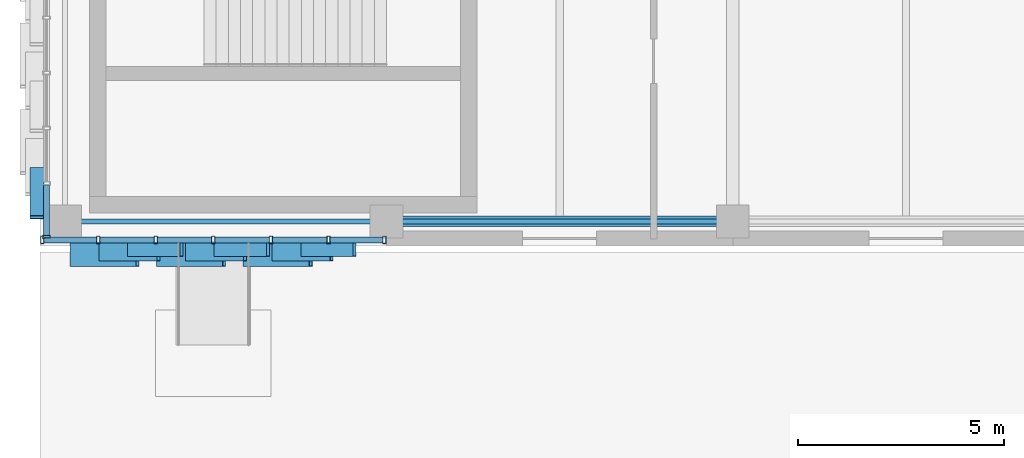
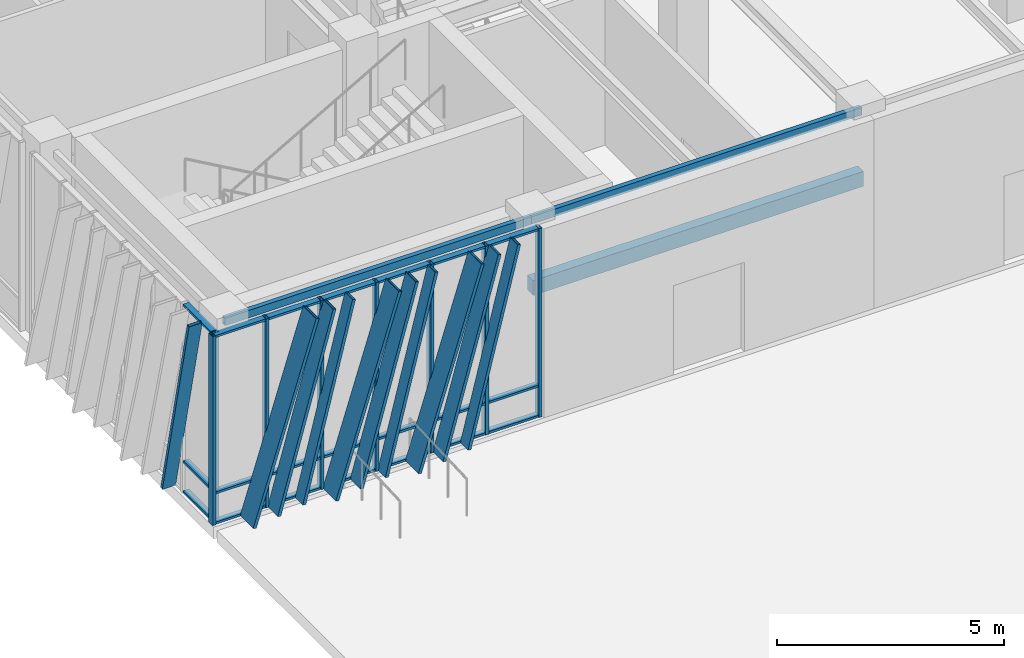
# One storey, part 9 of 122: 39 members, 3 beams, 2 elements without a shape of their own.
"""IFC4 building model written with IfcOpenShell, lengths in metres."""

from ifc_helpers import new_model, si_unit, direction, frame, origin, origin_2d, place, context, subcontext, project, spatial, rectangle, hollow_rectangle, extrude, material, layer, layer_set, material_profile, profile_set, type_object, element, aggregate, save


model = new_model("IFC4")

# Units and contexts
model_context = context("Model", 3, precision=1e-05, world=origin(), true_north=direction((0.0, 1.0)))
body_context = subcontext(model_context, "Body", "Model", "MODEL_VIEW")
ifc_project = project(units=[si_unit("LENGTHUNIT", "METRE"), si_unit("AREAUNIT", "SQUARE_METRE"), si_unit("VOLUMEUNIT", "CUBIC_METRE"), si_unit("PLANEANGLEUNIT", "RADIAN"), si_unit("MASSUNIT", "GRAM", prefix="KILO")], contexts=[model_context])

# Site, building, storey
site_placement = place(None, origin())
site = spatial("IfcSite", under=ifc_project, at=site_placement, CompositionType="ELEMENT")
building_placement = place(site_placement, origin())
building = spatial("IfcBuilding", under=site, at=building_placement, Name="Zayran Congress Hotel", CompositionType="ELEMENT")
storey_placement = place(building_placement, origin())
storey = spatial("IfcBuildingStorey", under=building, at=storey_placement, Name="L00", CompositionType="ELEMENT", Elevation=0.0)

# Beams
ifc_material_1 = material(Name="Concrete C40/50", Category="concrete")
ifc_material_profile_1 = material_profile(ifc_material_1, rectangle(XDim=0.25, YDim=0.39990234375, at=origin_2d()), Name="RC 250x400")
ifc_profile_set_1 = profile_set([ifc_material_profile_1], Name="Concrete C40/50")
beam_type_1 = type_object("IfcBeamType", Name="TP-LN-01", PredefinedType="LINTEL", material=ifc_profile_set_1)
beam_1_placement = place(storey_placement, frame((16.800048828125, 68.199951171875, 3.199951171875), z_axis=(1.0, 0.0, 0.0), x_axis=(0.0, 1.0, 0.0)))
element("IfcBeam", 1, at=beam_1_placement, inside=storey, type_object=beam_type_1, Name="BM-LIN-01", PredefinedType="LINTEL", context=body_context, shape_type="SweptSolid", body=[
    extrude(rectangle(XDim=0.25, YDim=0.39990234375, at=origin_2d()), origin(), (0.0, 0.0, 1.0), 8.39990234375),
])
ifc_material_2 = material(Name="Steel S355", Category="steel")
ifc_material_profile_2 = material_profile(ifc_material_2, hollow_rectangle(XDim=0.1201171875, YDim=0.199951171875, WallThickness=0.008056640625, at=origin_2d()), Name="RHS 200x120x8")
ifc_profile_set_2 = profile_set([ifc_material_profile_2], Name="Steel S355")
beam_type_2 = type_object("IfcBeamType", Name="TP-SP-02", PredefinedType="SPANDREL", material=ifc_profile_set_2)
beam_2_placement = place(storey_placement, frame((9.0, 68.199951171875, 4.97998046875), z_axis=(1.0, 0.0, 0.0), x_axis=(0.0, 1.0, 0.0)))
element("IfcBeam", 2, at=beam_2_placement, inside=storey, type_object=beam_type_2, Name="BM-V1-L00-0389", PredefinedType="SPANDREL", context=body_context, shape_type="SweptSolid", body=[
    extrude(hollow_rectangle(XDim=0.1201171875, YDim=0.199951171875, WallThickness=0.008056640625, at=origin_2d()), origin(), (0.0, 0.0, 1.0), 7.800048828125),
])
beam_3_placement = place(storey_placement, frame((16.800048828125, 68.199951171875, 4.97998046875), z_axis=(1.0, 0.0, 0.0), x_axis=(0.0, 1.0, 0.0)))
element("IfcBeam", 3, at=beam_3_placement, inside=storey, type_object=beam_type_2, Name="BM-V1-L00-0390", PredefinedType="SPANDREL", context=body_context, shape_type="SweptSolid", body=[
    extrude(hollow_rectangle(XDim=0.1201171875, YDim=0.199951171875, WallThickness=0.008056640625, at=origin_2d()), origin(), (0.0, 0.0, 1.0), 8.39990234375),
])

# Curtain wall, members
ifc_material_3 = material(Name="Anodised aluminium and low-E insulated glass", Category="aluminium")
ifc_layer_1 = layer(ifc_material_3, 0.179931640625)
ifc_layer_set_1 = layer_set([ifc_layer_1], Name="Anodised aluminium and low-E insulated glass")
curtain_wall_type_1 = type_object("IfcCurtainWallType", Name="CW-V1S-L00-CW-11-8380-5080", PredefinedType="USERDEFINED", material=ifc_layer_set_1)
curtain_wall_1_placement = place(storey_placement, origin())
curtain_wall_1 = element("IfcCurtainWall", 4, at=curtain_wall_1_placement, inside=storey, type_object=curtain_wall_type_1, Name="CW-V1S-L00-0", ObjectType="CURTAIN WALL", PredefinedType="USERDEFINED")
ifc_material_4 = material(Name="Anodised aluminium framing", Category="aluminium")
ifc_material_profile_3 = material_profile(ifc_material_4, hollow_rectangle(XDim=0.080078125, YDim=0.179931640625, WallThickness=0.0048828125, at=origin_2d()), Name="RHS 180x80x5")
ifc_profile_set_3 = profile_set([ifc_material_profile_3], Name="Anodised aluminium framing")
member_type_1 = type_object("IfcMemberType", Name="TP-CWM-01", PredefinedType="MULLION", material=ifc_profile_set_3)
member_1_placement = place(storey_placement, frame((8.449951171875, 67.75, 0.0), z_axis=(0.0, 0.0, 1.0), x_axis=(1.0, 0.0, 0.0)))
member_1 = element("IfcMember", 5, at=member_1_placement, type_object=member_type_1, Name="CW-V1S-L00-0-M00", PredefinedType="MULLION", context=body_context, shape_type="SweptSolid", body=[
    extrude(hollow_rectangle(XDim=0.080078125, YDim=0.179931640625, WallThickness=0.0048828125, at=origin_2d()), origin(), (0.0, 0.0, 1.0), 5.080078125),
])
member_2_placement = place(storey_placement, frame((9.806640625, 67.75, 0.0), z_axis=(0.0, 0.0, 1.0), x_axis=(1.0, 0.0, 0.0)))
member_2 = element("IfcMember", 6, at=member_2_placement, type_object=member_type_1, Name="CW-V1S-L00-0-M01", PredefinedType="MULLION", context=body_context, shape_type="SweptSolid", body=[
    extrude(hollow_rectangle(XDim=0.080078125, YDim=0.179931640625, WallThickness=0.0048828125, at=origin_2d()), origin(), (0.0, 0.0, 1.0), 5.080078125),
])
member_3_placement = place(storey_placement, frame((11.203369140625, 67.75, 0.0), z_axis=(0.0, 0.0, 1.0), x_axis=(1.0, 0.0, 0.0)))
member_3 = element("IfcMember", 7, at=member_3_placement, type_object=member_type_1, Name="CW-V1S-L00-0-M02", PredefinedType="MULLION", context=body_context, shape_type="SweptSolid", body=[
    extrude(hollow_rectangle(XDim=0.080078125, YDim=0.179931640625, WallThickness=0.0048828125, at=origin_2d()), origin(), (0.0, 0.0, 1.0), 5.080078125),
])
member_4_placement = place(storey_placement, frame((12.60009765625, 67.75, 0.0), z_axis=(0.0, 0.0, 1.0), x_axis=(1.0, 0.0, 0.0)))
member_4 = element("IfcMember", 8, at=member_4_placement, type_object=member_type_1, Name="CW-V1S-L00-0-M03", PredefinedType="MULLION", context=body_context, shape_type="SweptSolid", body=[
    extrude(hollow_rectangle(XDim=0.080078125, YDim=0.179931640625, WallThickness=0.0048828125, at=origin_2d()), origin(), (0.0, 0.0, 1.0), 5.080078125),
])
member_5_placement = place(storey_placement, frame((13.99658203125, 67.75, 0.0), z_axis=(0.0, 0.0, 1.0), x_axis=(1.0, 0.0, 0.0)))
member_5 = element("IfcMember", 9, at=member_5_placement, type_object=member_type_1, Name="CW-V1S-L00-0-M04", PredefinedType="MULLION", context=body_context, shape_type="SweptSolid", body=[
    extrude(hollow_rectangle(XDim=0.080078125, YDim=0.179931640625, WallThickness=0.0048828125, at=origin_2d()), origin(), (0.0, 0.0, 1.0), 5.080078125),
])
member_6_placement = place(storey_placement, frame((15.393310546875, 67.75, 0.0), z_axis=(0.0, 0.0, 1.0), x_axis=(1.0, 0.0, 0.0)))
member_6 = element("IfcMember", 10, at=member_6_placement, type_object=member_type_1, Name="CW-V1S-L00-0-M05", PredefinedType="MULLION", context=body_context, shape_type="SweptSolid", body=[
    extrude(hollow_rectangle(XDim=0.080078125, YDim=0.179931640625, WallThickness=0.0048828125, at=origin_2d()), origin(), (0.0, 0.0, 1.0), 5.080078125),
])
member_7_placement = place(storey_placement, frame((16.75, 67.75, 0.0), z_axis=(0.0, 0.0, 1.0), x_axis=(1.0, 0.0, 0.0)))
member_7 = element("IfcMember", 11, at=member_7_placement, type_object=member_type_1, Name="CW-V1S-L00-0-M06", PredefinedType="MULLION", context=body_context, shape_type="SweptSolid", body=[
    extrude(hollow_rectangle(XDim=0.080078125, YDim=0.179931640625, WallThickness=0.0048828125, at=origin_2d()), origin(), (0.0, 0.0, 1.0), 5.080078125),
])

# Curtain wall, member
ifc_layer_2 = layer(ifc_material_3, 0.179931640625)
ifc_layer_set_2 = layer_set([ifc_layer_2], Name="Anodised aluminium and low-E insulated glass")
curtain_wall_type_2 = type_object("IfcCurtainWallType", Name="CW-V1W-L00-CW-31-8040-5080", PredefinedType="USERDEFINED", material=ifc_layer_set_2)
curtain_wall_2_placement = place(storey_placement, origin())
curtain_wall_2 = element("IfcCurtainWall", 12, at=curtain_wall_2_placement, inside=storey, type_object=curtain_wall_type_2, Name="CW-V1W-L00-0", ObjectType="CURTAIN WALL", PredefinedType="USERDEFINED")
member_8_placement = place(storey_placement, frame((8.550048828125, 67.820068359375, 0.0), z_axis=(0.0, 0.0, 1.0), x_axis=(0.0, 1.0, 0.0)))
member_8 = element("IfcMember", 13, at=member_8_placement, type_object=member_type_1, Name="CW-V1W-L00-0-M06", PredefinedType="MULLION", context=body_context, shape_type="SweptSolid", body=[
    extrude(hollow_rectangle(XDim=0.080078125, YDim=0.179931640625, WallThickness=0.0048828125, at=origin_2d()), origin(), (0.0, 0.0, 1.0), 5.080078125),
])

# Member
ifc_material_profile_4 = material_profile(ifc_material_4, hollow_rectangle(XDim=0.06005859375, YDim=0.14990234375, WallThickness=0.00390625, at=origin_2d()), Name="RHS 150x60x4")
ifc_profile_set_4 = profile_set([ifc_material_profile_4], Name="Anodised aluminium framing")
member_type_2 = type_object("IfcMemberType", Name="TP-CWT-01", PredefinedType="USERDEFINED", material=ifc_profile_set_4)
member_9_placement = place(storey_placement, frame((8.489990234375, 67.75, 0.030029296875), z_axis=(1.0, 0.0, 0.0), x_axis=(0.0, 0.0, 1.0)))
member_9 = element("IfcMember", 14, at=member_9_placement, type_object=member_type_2, Name="CW-V1S-L00-0-T00-0", ObjectType="TRANSOM", PredefinedType="USERDEFINED", context=body_context, shape_type="SweptSolid", body=[
    extrude(hollow_rectangle(XDim=0.06005859375, YDim=0.14990234375, WallThickness=0.00390625, at=origin_2d()), origin(), (0.0, 0.0, 1.0), 1.276611328125),
])

member_10_placement = place(storey_placement, frame((8.489990234375, 67.75, 0.840087890625), z_axis=(1.0, 0.0, 0.0), x_axis=(0.0, 0.0, 1.0)))
member_10 = element("IfcMember", 15, at=member_10_placement, type_object=member_type_2, Name="CW-V1S-L00-0-T00-1", ObjectType="TRANSOM", PredefinedType="USERDEFINED", context=body_context, shape_type="SweptSolid", body=[
    extrude(hollow_rectangle(XDim=0.06005859375, YDim=0.14990234375, WallThickness=0.00390625, at=origin_2d()), origin(), (0.0, 0.0, 1.0), 1.276611328125),
])

member_11_placement = place(storey_placement, frame((8.489990234375, 67.75, 5.050048828125), z_axis=(1.0, 0.0, 0.0), x_axis=(0.0, 0.0, 1.0)))
member_11 = element("IfcMember", 16, at=member_11_placement, type_object=member_type_2, Name="CW-V1S-L00-0-T00-2", ObjectType="TRANSOM", PredefinedType="USERDEFINED", context=body_context, shape_type="SweptSolid", body=[
    extrude(hollow_rectangle(XDim=0.06005859375, YDim=0.14990234375, WallThickness=0.00390625, at=origin_2d()), origin(), (0.0, 0.0, 1.0), 1.276611328125),
])

member_12_placement = place(storey_placement, frame((9.8466796875, 67.75, 0.030029296875), z_axis=(1.0, 0.0, 0.0), x_axis=(0.0, 0.0, 1.0)))
member_12 = element("IfcMember", 17, at=member_12_placement, type_object=member_type_2, Name="CW-V1S-L00-0-T01-0", ObjectType="TRANSOM", PredefinedType="USERDEFINED", context=body_context, shape_type="SweptSolid", body=[
    extrude(hollow_rectangle(XDim=0.06005859375, YDim=0.14990234375, WallThickness=0.00390625, at=origin_2d()), origin(), (0.0, 0.0, 1.0), 1.316650390625),
])

member_13_placement = place(storey_placement, frame((9.8466796875, 67.75, 0.840087890625), z_axis=(1.0, 0.0, 0.0), x_axis=(0.0, 0.0, 1.0)))
member_13 = element("IfcMember", 18, at=member_13_placement, type_object=member_type_2, Name="CW-V1S-L00-0-T01-1", ObjectType="TRANSOM", PredefinedType="USERDEFINED", context=body_context, shape_type="SweptSolid", body=[
    extrude(hollow_rectangle(XDim=0.06005859375, YDim=0.14990234375, WallThickness=0.00390625, at=origin_2d()), origin(), (0.0, 0.0, 1.0), 1.316650390625),
])

member_14_placement = place(storey_placement, frame((9.8466796875, 67.75, 5.050048828125), z_axis=(1.0, 0.0, 0.0), x_axis=(0.0, 0.0, 1.0)))
member_14 = element("IfcMember", 19, at=member_14_placement, type_object=member_type_2, Name="CW-V1S-L00-0-T01-2", ObjectType="TRANSOM", PredefinedType="USERDEFINED", context=body_context, shape_type="SweptSolid", body=[
    extrude(hollow_rectangle(XDim=0.06005859375, YDim=0.14990234375, WallThickness=0.00390625, at=origin_2d()), origin(), (0.0, 0.0, 1.0), 1.316650390625),
])

member_15_placement = place(storey_placement, frame((11.243408203125, 67.75, 0.030029296875), z_axis=(1.0, 0.0, 0.0), x_axis=(0.0, 0.0, 1.0)))
member_15 = element("IfcMember", 20, at=member_15_placement, type_object=member_type_2, Name="CW-V1S-L00-0-T02-0", ObjectType="TRANSOM", PredefinedType="USERDEFINED", context=body_context, shape_type="SweptSolid", body=[
    extrude(hollow_rectangle(XDim=0.06005859375, YDim=0.14990234375, WallThickness=0.00390625, at=origin_2d()), origin(), (0.0, 0.0, 1.0), 1.316650390625),
])

member_16_placement = place(storey_placement, frame((11.243408203125, 67.75, 0.840087890625), z_axis=(1.0, 0.0, 0.0), x_axis=(0.0, 0.0, 1.0)))
member_16 = element("IfcMember", 21, at=member_16_placement, type_object=member_type_2, Name="CW-V1S-L00-0-T02-1", ObjectType="TRANSOM", PredefinedType="USERDEFINED", context=body_context, shape_type="SweptSolid", body=[
    extrude(hollow_rectangle(XDim=0.06005859375, YDim=0.14990234375, WallThickness=0.00390625, at=origin_2d()), origin(), (0.0, 0.0, 1.0), 1.316650390625),
])

member_17_placement = place(storey_placement, frame((11.243408203125, 67.75, 5.050048828125), z_axis=(1.0, 0.0, 0.0), x_axis=(0.0, 0.0, 1.0)))
member_17 = element("IfcMember", 22, at=member_17_placement, type_object=member_type_2, Name="CW-V1S-L00-0-T02-2", ObjectType="TRANSOM", PredefinedType="USERDEFINED", context=body_context, shape_type="SweptSolid", body=[
    extrude(hollow_rectangle(XDim=0.06005859375, YDim=0.14990234375, WallThickness=0.00390625, at=origin_2d()), origin(), (0.0, 0.0, 1.0), 1.316650390625),
])

member_18_placement = place(storey_placement, frame((12.639892578125, 67.75, 0.030029296875), z_axis=(1.0, 0.0, 0.0), x_axis=(0.0, 0.0, 1.0)))
member_18 = element("IfcMember", 23, at=member_18_placement, type_object=member_type_2, Name="CW-V1S-L00-0-T03-0", ObjectType="TRANSOM", PredefinedType="USERDEFINED", context=body_context, shape_type="SweptSolid", body=[
    extrude(hollow_rectangle(XDim=0.06005859375, YDim=0.14990234375, WallThickness=0.00390625, at=origin_2d()), origin(), (0.0, 0.0, 1.0), 1.31689453125),
])

member_19_placement = place(storey_placement, frame((12.639892578125, 67.75, 0.840087890625), z_axis=(1.0, 0.0, 0.0), x_axis=(0.0, 0.0, 1.0)))
member_19 = element("IfcMember", 24, at=member_19_placement, type_object=member_type_2, Name="CW-V1S-L00-0-T03-1", ObjectType="TRANSOM", PredefinedType="USERDEFINED", context=body_context, shape_type="SweptSolid", body=[
    extrude(hollow_rectangle(XDim=0.06005859375, YDim=0.14990234375, WallThickness=0.00390625, at=origin_2d()), origin(), (0.0, 0.0, 1.0), 1.31689453125),
])

member_20_placement = place(storey_placement, frame((12.639892578125, 67.75, 5.050048828125), z_axis=(1.0, 0.0, 0.0), x_axis=(0.0, 0.0, 1.0)))
member_20 = element("IfcMember", 25, at=member_20_placement, type_object=member_type_2, Name="CW-V1S-L00-0-T03-2", ObjectType="TRANSOM", PredefinedType="USERDEFINED", context=body_context, shape_type="SweptSolid", body=[
    extrude(hollow_rectangle(XDim=0.06005859375, YDim=0.14990234375, WallThickness=0.00390625, at=origin_2d()), origin(), (0.0, 0.0, 1.0), 1.31689453125),
])

member_21_placement = place(storey_placement, frame((14.03662109375, 67.75, 0.030029296875), z_axis=(1.0, 0.0, 0.0), x_axis=(0.0, 0.0, 1.0)))
member_21 = element("IfcMember", 26, at=member_21_placement, type_object=member_type_2, Name="CW-V1S-L00-0-T04-0", ObjectType="TRANSOM", PredefinedType="USERDEFINED", context=body_context, shape_type="SweptSolid", body=[
    extrude(hollow_rectangle(XDim=0.06005859375, YDim=0.14990234375, WallThickness=0.00390625, at=origin_2d()), origin(), (0.0, 0.0, 1.0), 1.316650390625),
])

member_22_placement = place(storey_placement, frame((14.03662109375, 67.75, 0.840087890625), z_axis=(1.0, 0.0, 0.0), x_axis=(0.0, 0.0, 1.0)))
member_22 = element("IfcMember", 27, at=member_22_placement, type_object=member_type_2, Name="CW-V1S-L00-0-T04-1", ObjectType="TRANSOM", PredefinedType="USERDEFINED", context=body_context, shape_type="SweptSolid", body=[
    extrude(hollow_rectangle(XDim=0.06005859375, YDim=0.14990234375, WallThickness=0.00390625, at=origin_2d()), origin(), (0.0, 0.0, 1.0), 1.316650390625),
])

member_23_placement = place(storey_placement, frame((14.03662109375, 67.75, 5.050048828125), z_axis=(1.0, 0.0, 0.0), x_axis=(0.0, 0.0, 1.0)))
member_23 = element("IfcMember", 28, at=member_23_placement, type_object=member_type_2, Name="CW-V1S-L00-0-T04-2", ObjectType="TRANSOM", PredefinedType="USERDEFINED", context=body_context, shape_type="SweptSolid", body=[
    extrude(hollow_rectangle(XDim=0.06005859375, YDim=0.14990234375, WallThickness=0.00390625, at=origin_2d()), origin(), (0.0, 0.0, 1.0), 1.316650390625),
])

member_24_placement = place(storey_placement, frame((15.433349609375, 67.75, 0.030029296875), z_axis=(1.0, 0.0, 0.0), x_axis=(0.0, 0.0, 1.0)))
member_24 = element("IfcMember", 29, at=member_24_placement, type_object=member_type_2, Name="CW-V1S-L00-0-T05-0", ObjectType="TRANSOM", PredefinedType="USERDEFINED", context=body_context, shape_type="SweptSolid", body=[
    extrude(hollow_rectangle(XDim=0.06005859375, YDim=0.14990234375, WallThickness=0.00390625, at=origin_2d()), origin(), (0.0, 0.0, 1.0), 1.276611328125),
])

member_25_placement = place(storey_placement, frame((15.433349609375, 67.75, 0.840087890625), z_axis=(1.0, 0.0, 0.0), x_axis=(0.0, 0.0, 1.0)))
member_25 = element("IfcMember", 30, at=member_25_placement, type_object=member_type_2, Name="CW-V1S-L00-0-T05-1", ObjectType="TRANSOM", PredefinedType="USERDEFINED", context=body_context, shape_type="SweptSolid", body=[
    extrude(hollow_rectangle(XDim=0.06005859375, YDim=0.14990234375, WallThickness=0.00390625, at=origin_2d()), origin(), (0.0, 0.0, 1.0), 1.276611328125),
])

member_26_placement = place(storey_placement, frame((15.433349609375, 67.75, 5.050048828125), z_axis=(1.0, 0.0, 0.0), x_axis=(0.0, 0.0, 1.0)))
member_26 = element("IfcMember", 31, at=member_26_placement, type_object=member_type_2, Name="CW-V1S-L00-0-T05-2", ObjectType="TRANSOM", PredefinedType="USERDEFINED", context=body_context, shape_type="SweptSolid", body=[
    extrude(hollow_rectangle(XDim=0.06005859375, YDim=0.14990234375, WallThickness=0.00390625, at=origin_2d()), origin(), (0.0, 0.0, 1.0), 1.276611328125),
])

member_27_placement = place(storey_placement, frame((8.550048828125, 69.080078125, 0.030029296875), z_axis=(0.0, -1.0, 0.0), x_axis=(0.0, 0.0, 1.0)))
member_27 = element("IfcMember", 32, at=member_27_placement, type_object=member_type_2, Name="CW-V1W-L00-0-T05-0", ObjectType="TRANSOM", PredefinedType="USERDEFINED", context=body_context, shape_type="SweptSolid", body=[
    extrude(hollow_rectangle(XDim=0.06005859375, YDim=0.14990234375, WallThickness=0.00390625, at=origin_2d()), origin(), (0.0, 0.0, 1.0), 1.219970703125),
])

member_28_placement = place(storey_placement, frame((8.550048828125, 69.080078125, 0.840087890625), z_axis=(0.0, -1.0, 0.0), x_axis=(0.0, 0.0, 1.0)))
member_28 = element("IfcMember", 33, at=member_28_placement, type_object=member_type_2, Name="CW-V1W-L00-0-T05-1", ObjectType="TRANSOM", PredefinedType="USERDEFINED", context=body_context, shape_type="SweptSolid", body=[
    extrude(hollow_rectangle(XDim=0.06005859375, YDim=0.14990234375, WallThickness=0.00390625, at=origin_2d()), origin(), (0.0, 0.0, 1.0), 1.219970703125),
])

member_29_placement = place(storey_placement, frame((8.550048828125, 69.080078125, 5.050048828125), z_axis=(0.0, -1.0, 0.0), x_axis=(0.0, 0.0, 1.0)))
member_29 = element("IfcMember", 34, at=member_29_placement, type_object=member_type_2, Name="CW-V1W-L00-0-T05-2", ObjectType="TRANSOM", PredefinedType="USERDEFINED", context=body_context, shape_type="SweptSolid", body=[
    extrude(hollow_rectangle(XDim=0.06005859375, YDim=0.14990234375, WallThickness=0.00390625, at=origin_2d()), origin(), (0.0, 0.0, 1.0), 1.219970703125),
])

ifc_material_5 = material(Name="Warm bronze anodised aluminium", Category="aluminium")
ifc_material_profile_5 = material_profile(ifc_material_5, hollow_rectangle(XDim=0.080078125, YDim=0.580078125, WallThickness=0.006103515625, at=origin_2d()), Name="RHS 580x80x6")
ifc_profile_set_5 = profile_set([ifc_material_profile_5], Name="Warm bronze anodised aluminium")
member_type_3 = type_object("IfcMemberType", Name="TP-RFN-01", PredefinedType="MULLION", material=ifc_profile_set_5)
member_30_placement = place(storey_placement, frame((9.159912109375, 67.39990234375, 0.0), z_axis=(0.300716755525, 0.0, 0.953713496259), x_axis=(-0.953713496259, 0.0, 0.300716755525)))
member_30 = element("IfcMember", 35, at=member_30_placement, type_object=member_type_3, Name="Slanting Reed Mullion CW-11-01", PredefinedType="MULLION", context=body_context, shape_type="SweptSolid", body=[
    extrude(hollow_rectangle(XDim=0.080078125, YDim=0.580078125, WallThickness=0.006103515625, at=origin_2d()), origin(), (0.0, 0.0, 1.0), 5.32666015625),
])

member_31_placement = place(storey_placement, frame((11.260009765625, 67.39990234375, 0.0), z_axis=(0.300716755525, 0.0, 0.953713496259), x_axis=(-0.953713496259, 0.0, 0.300716755525)))
member_31 = element("IfcMember", 36, at=member_31_placement, type_object=member_type_3, Name="Slanting Reed Mullion CW-11-04", PredefinedType="MULLION", context=body_context, shape_type="SweptSolid", body=[
    extrude(hollow_rectangle(XDim=0.080078125, YDim=0.580078125, WallThickness=0.006103515625, at=origin_2d()), origin(), (0.0, 0.0, 1.0), 5.32666015625),
])

member_32_placement = place(storey_placement, frame((13.360107421875, 67.39990234375, 0.0), z_axis=(0.300675065474, 0.0, 0.953726640606), x_axis=(-0.953726640606, 0.0, 0.300675065474)))
member_32 = element("IfcMember", 37, at=member_32_placement, type_object=member_type_3, Name="Slanting Reed Mullion CW-11-07", PredefinedType="MULLION", context=body_context, shape_type="SweptSolid", body=[
    extrude(hollow_rectangle(XDim=0.080078125, YDim=0.580078125, WallThickness=0.006103515625, at=origin_2d()), origin(), (0.0, 0.0, 1.0), 5.32666015625),
])

ifc_material_profile_6 = material_profile(ifc_material_5, hollow_rectangle(XDim=0.080078125, YDim=0.449951171875, WallThickness=0.006103515625, at=origin_2d()), Name="RHS 450x80x6")
ifc_profile_set_6 = profile_set([ifc_material_profile_6], Name="Warm bronze anodised aluminium")
member_type_4 = type_object("IfcMemberType", Name="TP-RFN-02", PredefinedType="MULLION", material=ifc_profile_set_6)
member_33_placement = place(storey_placement, frame((9.860107421875, 67.465087890625, 0.0), z_axis=(0.267213902124, 0.0, 0.963637240102), x_axis=(-0.963637240102, 0.0, 0.267213902124)))
member_33 = element("IfcMember", 38, at=member_33_placement, type_object=member_type_4, Name="Slanting Reed Mullion CW-11-02", PredefinedType="MULLION", context=body_context, shape_type="SweptSolid", body=[
    extrude(hollow_rectangle(XDim=0.080078125, YDim=0.449951171875, WallThickness=0.006103515625, at=origin_2d()), origin(), (0.0, 0.0, 1.0), 5.271728515625),
])

member_34_placement = place(storey_placement, frame((11.9599609375, 67.465087890625, 0.0), z_axis=(0.267256905477, 0.0, 0.96362531436), x_axis=(-0.96362531436, 0.0, 0.267256905477)))
member_34 = element("IfcMember", 39, at=member_34_placement, type_object=member_type_4, Name="Slanting Reed Mullion CW-11-05", PredefinedType="MULLION", context=body_context, shape_type="SweptSolid", body=[
    extrude(hollow_rectangle(XDim=0.080078125, YDim=0.449951171875, WallThickness=0.006103515625, at=origin_2d()), origin(), (0.0, 0.0, 1.0), 5.271728515625),
])

member_35_placement = place(storey_placement, frame((14.06005859375, 67.465087890625, 0.0), z_axis=(0.267213902124, 0.0, 0.963637240102), x_axis=(-0.963637240102, 0.0, 0.267213902124)))
member_35 = element("IfcMember", 40, at=member_35_placement, type_object=member_type_4, Name="Slanting Reed Mullion CW-11-08", PredefinedType="MULLION", context=body_context, shape_type="SweptSolid", body=[
    extrude(hollow_rectangle(XDim=0.080078125, YDim=0.449951171875, WallThickness=0.006103515625, at=origin_2d()), origin(), (0.0, 0.0, 1.0), 5.271728515625),
])

ifc_material_profile_7 = material_profile(ifc_material_5, hollow_rectangle(XDim=0.080078125, YDim=0.340087890625, WallThickness=0.006103515625, at=origin_2d()), Name="RHS 340x80x6")
ifc_profile_set_7 = profile_set([ifc_material_profile_7], Name="Warm bronze anodised aluminium")
member_type_5 = type_object("IfcMemberType", Name="TP-RFN-03", PredefinedType="MULLION", material=ifc_profile_set_7)
member_36_placement = place(storey_placement, frame((10.56005859375, 67.52001953125, 0.0), z_axis=(0.241921145618, 0.0, 0.970295913267), x_axis=(-0.970295913267, 0.0, 0.241921145618)))
member_36 = element("IfcMember", 41, at=member_36_placement, type_object=member_type_5, Name="Slanting Reed Mullion CW-11-03", PredefinedType="MULLION", context=body_context, shape_type="SweptSolid", body=[
    extrude(hollow_rectangle(XDim=0.080078125, YDim=0.340087890625, WallThickness=0.006103515625, at=origin_2d()), origin(), (0.0, 0.0, 1.0), 5.235595703125),
])

member_37_placement = place(storey_placement, frame((12.659912109375, 67.52001953125, 0.0), z_axis=(0.241921145618, 0.0, 0.970295913267), x_axis=(-0.970295913267, 0.0, 0.241921145618)))
member_37 = element("IfcMember", 42, at=member_37_placement, type_object=member_type_5, Name="Slanting Reed Mullion CW-11-06", PredefinedType="MULLION", context=body_context, shape_type="SweptSolid", body=[
    extrude(hollow_rectangle(XDim=0.080078125, YDim=0.340087890625, WallThickness=0.006103515625, at=origin_2d()), origin(), (0.0, 0.0, 1.0), 5.235595703125),
])

member_38_placement = place(storey_placement, frame((14.760009765625, 67.52001953125, 0.0), z_axis=(0.241921145618, 0.0, 0.970295913267), x_axis=(-0.970295913267, 0.0, 0.241921145618)))
member_38 = element("IfcMember", 43, at=member_38_placement, type_object=member_type_5, Name="Slanting Reed Mullion CW-11-09", PredefinedType="MULLION", context=body_context, shape_type="SweptSolid", body=[
    extrude(hollow_rectangle(XDim=0.080078125, YDim=0.340087890625, WallThickness=0.006103515625, at=origin_2d()), origin(), (0.0, 0.0, 1.0), 5.235595703125),
])

aggregate(curtain_wall_1, [member_1, member_2, member_3, member_4, member_5, member_6, member_7, member_9, member_10, member_11, member_12, member_13, member_14, member_15, member_16, member_17, member_18, member_19, member_20, member_21, member_22, member_23, member_24, member_25, member_26, member_30, member_33, member_36, member_31, member_34, member_37, member_32, member_35, member_38])

member_39_placement = place(storey_placement, frame((8.320068359375, 69.469970703125, 0.0), z_axis=(0.0, -0.224955263497, 0.974369093016), x_axis=(0.0, 0.974369093016, 0.224955263497)))
member_39 = element("IfcMember", 44, at=member_39_placement, type_object=member_type_5, Name="Slanting Reed Mullion CW-31-09", PredefinedType="MULLION", context=body_context, shape_type="SweptSolid", body=[
    extrude(hollow_rectangle(XDim=0.080078125, YDim=0.340087890625, WallThickness=0.006103515625, at=origin_2d()), origin(), (0.0, 0.0, 1.0), 5.213623046875),
])

aggregate(curtain_wall_2, [member_8, member_27, member_28, member_29, member_39])

save(model, "model.ifc")
